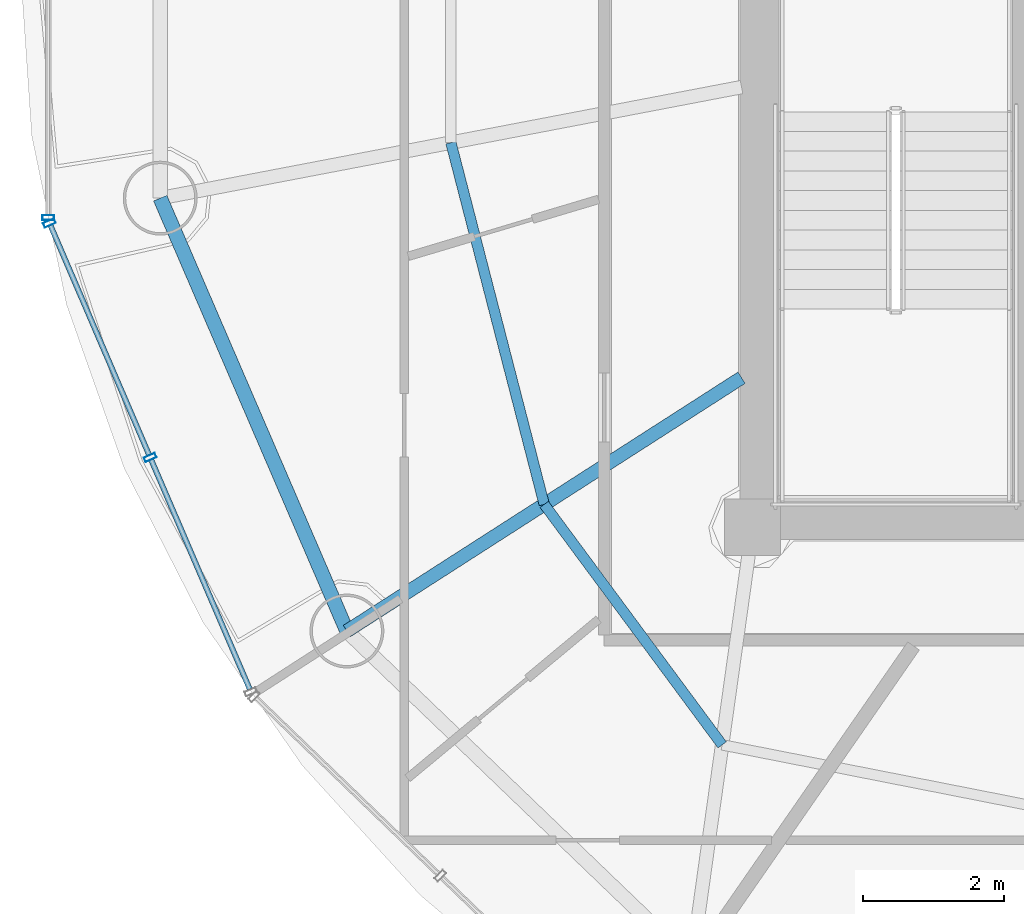
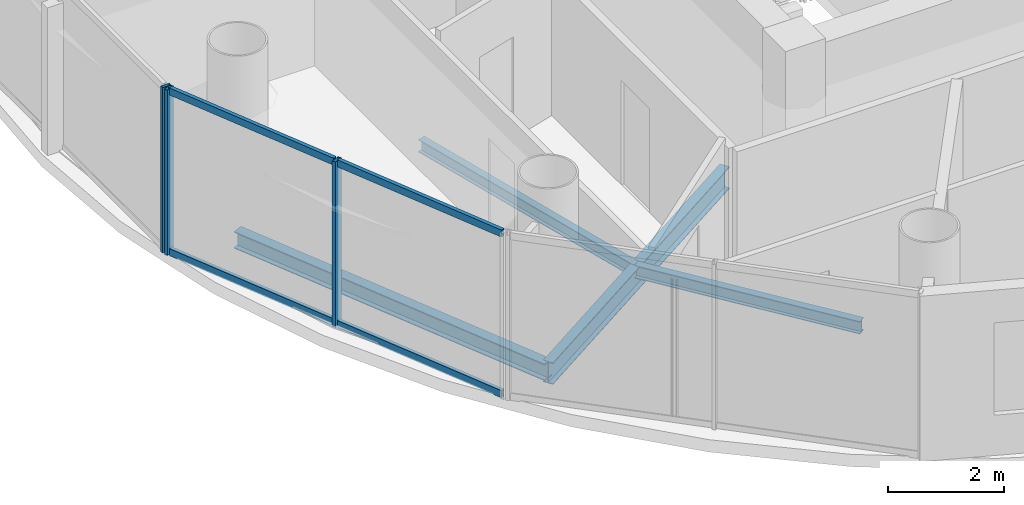
# One storey, part 4 of 24: 7 members, 4 beams, 2 elements without a shape of their own.
"""IFC4 building model written with IfcOpenShell, lengths in metres."""

from ifc_helpers import new_model, si_unit, direction, frame, origin, origin_2d, place, context, subcontext, project, spatial, hollow_rectangle, i_section, extrude, source, transform, mapped, material, material_profile, profile_set, type_object, element, aggregate, save


model = new_model("IFC4")

# Units and contexts
model_context = context("Model", 3, precision=1e-05, world=origin(), true_north=direction((-0.2419218956, 0.970295726276)))
body_context = subcontext(model_context, "Body", "Model", "MODEL_VIEW")
ifc_project = project(units=[si_unit("LENGTHUNIT", "METRE"), si_unit("AREAUNIT", "SQUARE_METRE"), si_unit("VOLUMEUNIT", "CUBIC_METRE"), si_unit("PLANEANGLEUNIT", "RADIAN"), si_unit("MASSUNIT", "GRAM", prefix="KILO")], contexts=[model_context])

# Site, building, storey
site_placement = place(None, origin())
site = spatial("IfcSite", under=ifc_project, at=site_placement, CompositionType="ELEMENT")
building_placement = place(site_placement, origin())
building = spatial("IfcBuilding", under=site, at=building_placement, Name="Cobrevalo Terracotta Tower", CompositionType="ELEMENT")
storey_placement = place(building_placement, frame((0.0, 0.0, 274.449951171875)))
storey = spatial("IfcBuildingStorey", under=building, at=storey_placement, Name="L72", CompositionType="ELEMENT", Elevation=274.449951171875)

# Beams
ifc_material_1 = material(Name="Steel S355", Category="steel")
ifc_material_profile_1 = material_profile(ifc_material_1, i_section(OverallWidth=0.19091796875, OverallDepth=0.4599609375, WebThickness=0.010009765625, FlangeThickness=0.01611328125, at=origin_2d()), Name="W 460x82")
ifc_profile_set_1 = profile_set([ifc_material_profile_1], Name="Steel S355")
beam_type_1 = type_object("IfcBeamType", Name="Structural Beam W 460x82 (Steel S355)", PredefinedType="BEAM", material=ifc_profile_set_1)
beam_1_placement = place(storey_placement, frame((23.241455078125, 17.32763671875, -0.489990234375), z_axis=(0.84157615512, 0.540138477739, 0.0), x_axis=(-0.540138477739, 0.84157615512, 0.0)))
element("IfcBeam", 1, at=beam_1_placement, inside=storey, type_object=beam_type_1, Name="L72 radial floor girder 10", PredefinedType="BEAM", context=body_context, shape_type="SweptSolid", body=[
    extrude(i_section(OverallWidth=0.19091796875, OverallDepth=0.4599609375, WebThickness=0.010009765625, FlangeThickness=0.01611328125, at=origin_2d()), origin(), (0.0, 0.0, 1.0), 6.658447265625),
])
ifc_material_profile_2 = material_profile(ifc_material_1, i_section(OverallWidth=0.14794921875, OverallDepth=0.26611328125, WebThickness=0.007568359375, FlangeThickness=0.012939453125, at=origin_2d()), Name="W 250x44.8")
ifc_profile_set_2 = profile_set([ifc_material_profile_2], Name="Steel S355")
beam_type_2 = type_object("IfcBeamType", Name="Structural Joist W 250x44.8 (Steel S355)", PredefinedType="JOIST", material=ifc_profile_set_2)
beam_2_placement = place(storey_placement, frame((24.718017578125, 24.26220703125, -0.39306640625), z_axis=(0.249816773293, -0.968293126993, 0.0), x_axis=(0.968293126993, 0.249816773293, 0.0)))
element("IfcBeam", 2, at=beam_2_placement, inside=storey, type_object=beam_type_2, Name="L72 circumferential secondary floor joist 09", PredefinedType="JOIST", context=body_context, shape_type="SweptSolid", body=[
    extrude(i_section(OverallWidth=0.14794921875, OverallDepth=0.26611328125, WebThickness=0.007568359375, FlangeThickness=0.012939453125, at=origin_2d()), origin(), (0.0, 0.0, 1.0), 5.3046875),
])
beam_3_placement = place(storey_placement, frame((26.043212890625, 19.125732421875, -0.39306640625), z_axis=(0.594799916617, -0.803873783123, 0.0), x_axis=(0.803873783123, 0.594799916617, 0.0)))
element("IfcBeam", 3, at=beam_3_placement, inside=storey, type_object=beam_type_2, Name="L72 circumferential secondary floor joist 10", PredefinedType="JOIST", context=body_context, shape_type="SweptSolid", body=[
    extrude(i_section(OverallWidth=0.14794921875, OverallDepth=0.26611328125, WebThickness=0.007568359375, FlangeThickness=0.012939453125, at=origin_2d()), origin(), (0.0, 0.0, 1.0), 4.2470703125),
])
ifc_material_profile_3 = material_profile(ifc_material_1, i_section(OverallWidth=0.205078125, OverallDepth=0.35400390625, WebThickness=0.009521484375, FlangeThickness=0.016845703125, at=origin_2d()), Name="W 360x79")
ifc_profile_set_3 = profile_set([ifc_material_profile_3], Name="Steel S355")
beam_type_3 = type_object("IfcBeamType", Name="Structural Spandrel W 360x79 (Steel S355)", PredefinedType="SPANDREL", material=ifc_profile_set_3)
beam_4_placement = place(storey_placement, frame((20.591064453125, 23.4736328125, -0.43701171875), z_axis=(0.395987390706, -0.918255948198, 0.0), x_axis=(0.918255948198, 0.395987390706, 0.0)))
element("IfcBeam", 4, at=beam_4_placement, inside=storey, type_object=beam_type_3, Name="L72 perimeter ring spandrel 09", PredefinedType="SPANDREL", context=body_context, shape_type="SweptSolid", body=[
    extrude(i_section(OverallWidth=0.205078125, OverallDepth=0.35400390625, WebThickness=0.009521484375, FlangeThickness=0.016845703125, at=origin_2d()), origin(), (0.0, 0.0, 1.0), 6.693115234375),
])

# Curtain wall, member
ifc_material_2 = material(Name="Anodized aluminium", Category="aluminium")
curtain_wall_type = type_object("IfcCurtainWallType", Name="Upper-tower triple-glazed penthouse curtain wall CW-U3", PredefinedType="NOTDEFINED", material=ifc_material_2)
curtain_wall_1_placement = place(storey_placement, origin())
curtain_wall_1 = element("IfcCurtainWall", 5, at=curtain_wall_1_placement, inside=storey, type_object=curtain_wall_type, Name="L72 curtain wall CW-L72-S08", PredefinedType="NOTDEFINED")
ifc_material_profile_4 = material_profile(ifc_material_2, hollow_rectangle(XDim=0.070068359375, YDim=0.169921875, WallThickness=0.00439453125, at=origin_2d()), Name="CWM 70x170")
ifc_profile_set_4 = profile_set([ifc_material_profile_4], Name="Anodized aluminium")
member_type_1 = type_object("IfcMemberType", Name="Upper tower unitised mullion 70x170", PredefinedType="MULLION", material=ifc_profile_set_4)
shared_shape_1 = source(origin(), body_context, "Body", "SweptSolid", [
    extrude(hollow_rectangle(XDim=0.070068359375, YDim=0.169921875, WallThickness=0.00439453125, at=origin_2d()), origin(), (0.0, 0.0, 1.0), 3.489990234375),
])
member_1_placement = place(storey_placement, frame((19.002197265625, 23.19775390625, 0.0), z_axis=(0.0, 0.0, 1.0), x_axis=(0.0, -1.0, 0.0)))
member_1 = element("IfcMember", 6, at=member_1_placement, type_object=member_type_1, Name="CW-L72-S08 vertical mullion 03", PredefinedType="MULLION", context=body_context, shape_type="MappedRepresentation", body=[
    mapped(shared_shape_1, transform((0.0, 0.0, 0.0), scale=1.0)),
])
aggregate(curtain_wall_1, [member_1])

# Curtain wall, members
curtain_wall_2_placement = place(storey_placement, origin())
curtain_wall_2 = element("IfcCurtainWall", 7, at=curtain_wall_2_placement, inside=storey, type_object=curtain_wall_type, Name="L72 curtain wall CW-L72-S09", PredefinedType="NOTDEFINED")
member_2_placement = place(storey_placement, frame((19.01806640625, 23.120849609375, 0.0), z_axis=(0.0, 0.0, 1.0), x_axis=(0.39482403454, -0.91875675875, 0.0)))
member_2 = element("IfcMember", 8, at=member_2_placement, type_object=member_type_1, Name="CW-L72-S09 vertical mullion 01", PredefinedType="MULLION", context=body_context, shape_type="MappedRepresentation", body=[
    mapped(shared_shape_1, transform((0.0, 0.0, 0.0), scale=1.0)),
])
member_3_placement = place(storey_placement, frame((20.4482421875, 19.79248046875, 0.0), z_axis=(0.0, 0.0, 1.0), x_axis=(0.39482403454, -0.91875675875, 0.0)))
member_3 = element("IfcMember", 9, at=member_3_placement, type_object=member_type_1, Name="CW-L72-S09 vertical mullion 02", PredefinedType="MULLION", context=body_context, shape_type="MappedRepresentation", body=[
    mapped(shared_shape_1, transform((0.0, 0.0, 0.0), scale=1.0)),
])
ifc_material_profile_5 = material_profile(ifc_material_2, hollow_rectangle(XDim=0.074951171875, YDim=0.14990234375, WallThickness=0.00439453125, at=origin_2d()), Name="CWT 75x150")
ifc_profile_set_5 = profile_set([ifc_material_profile_5], Name="Anodized aluminium")
member_type_2 = type_object("IfcMemberType", Name="Tower unitised aluminium transom 75x150", PredefinedType="USERDEFINED", material=ifc_profile_set_5)
shared_shape_2 = source(origin(), body_context, "Body", "SweptSolid", [
    extrude(hollow_rectangle(XDim=0.074951171875, YDim=0.14990234375, WallThickness=0.00439453125, at=origin_2d()), origin(), (0.0, 0.0, 1.0), 3.542724609375),
])
member_4_placement = place(storey_placement, frame((19.03369140625, 23.084228515625, 0.050048828125), z_axis=(0.394867226589, -0.918738196314, 0.0), x_axis=(0.918738196314, 0.394867226589, 0.0)))
member_4 = element("IfcMember", 10, at=member_4_placement, type_object=member_type_2, Name="CW-L72-S09 transom B01-T1", ObjectType="TRANSOM", PredefinedType="USERDEFINED", context=body_context, shape_type="MappedRepresentation", body=[
    mapped(shared_shape_2, transform((0.0, 0.0, 0.0), scale=1.0)),
])
member_5_placement = place(storey_placement, frame((19.03369140625, 23.084228515625, 3.43994140625), z_axis=(0.394867226589, -0.918738196314, 0.0), x_axis=(0.918738196314, 0.394867226589, 0.0)))
member_5 = element("IfcMember", 11, at=member_5_placement, type_object=member_type_2, Name="CW-L72-S09 transom B01-T2", ObjectType="TRANSOM", PredefinedType="USERDEFINED", context=body_context, shape_type="MappedRepresentation", body=[
    mapped(shared_shape_2, transform((0.0, 0.0, 0.0), scale=1.0)),
])
member_6_placement = place(storey_placement, frame((20.464111328125, 19.755859375, 0.050048828125), z_axis=(0.394809056766, -0.918763195114, 0.0), x_axis=(0.918763195114, 0.394809056766, 0.0)))
member_6 = element("IfcMember", 12, at=member_6_placement, type_object=member_type_2, Name="CW-L72-S09 transom B02-T1", ObjectType="TRANSOM", PredefinedType="USERDEFINED", context=body_context, shape_type="MappedRepresentation", body=[
    mapped(shared_shape_2, transform((0.0, 0.0, 0.0), scale=1.0)),
])
member_7_placement = place(storey_placement, frame((20.464111328125, 19.755859375, 3.43994140625), z_axis=(0.394809056766, -0.918763195114, 0.0), x_axis=(0.918763195114, 0.394809056766, 0.0)))
member_7 = element("IfcMember", 13, at=member_7_placement, type_object=member_type_2, Name="CW-L72-S09 transom B02-T2", ObjectType="TRANSOM", PredefinedType="USERDEFINED", context=body_context, shape_type="MappedRepresentation", body=[
    mapped(shared_shape_2, transform((0.0, 0.0, 0.0), scale=1.0)),
])
aggregate(curtain_wall_2, [member_2, member_3, member_4, member_5, member_6, member_7])

save(model, "model.ifc")
